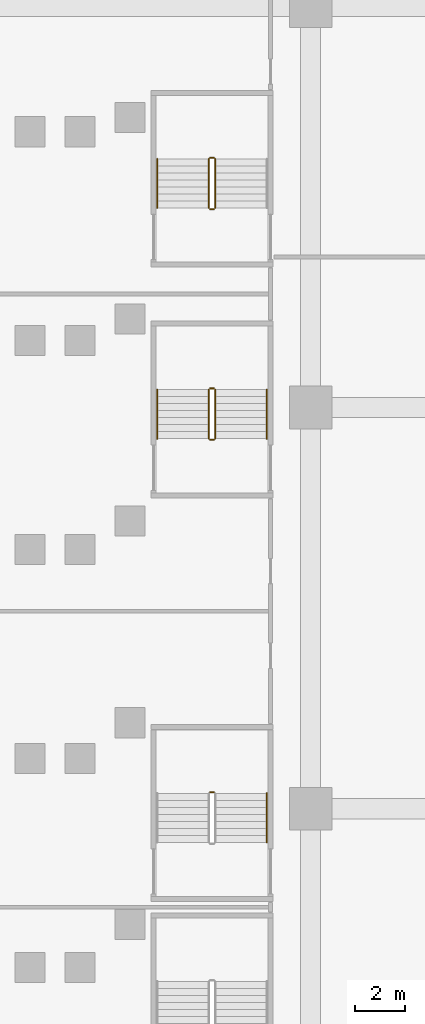
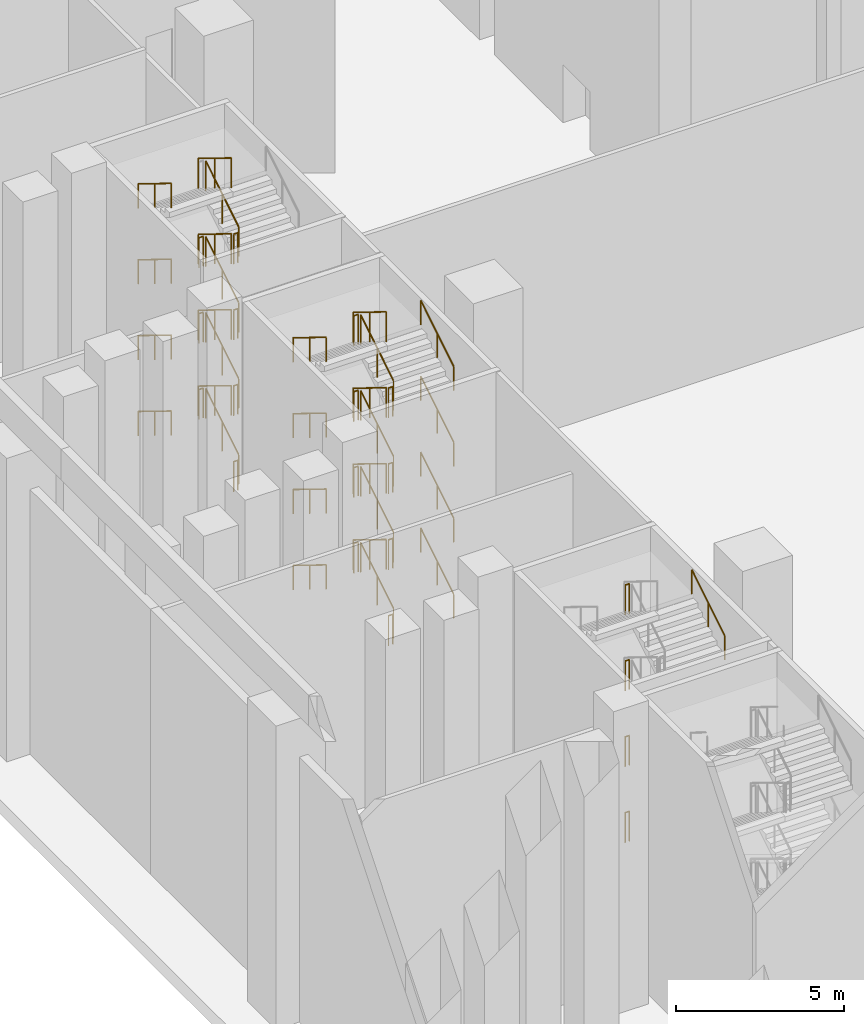
# One storey, part 23 of 31: 48 railings.
"""IFC4 building model written with IfcOpenShell, lengths in metres."""

from ifc_helpers import new_model, si_unit, direction, frame, origin, origin_2d, place, context, subcontext, project, spatial, circle, extrude, material, type_object, element, save


model = new_model("IFC4")

# Units and contexts
model_context = context("Model", 3, precision=1e-05, world=origin(), true_north=direction((0.0, 1.0)))
body_context = subcontext(model_context, "Body", "Model", "MODEL_VIEW")
ifc_project = project(units=[si_unit("LENGTHUNIT", "METRE"), si_unit("AREAUNIT", "SQUARE_METRE"), si_unit("VOLUMEUNIT", "CUBIC_METRE"), si_unit("PLANEANGLEUNIT", "RADIAN"), si_unit("MASSUNIT", "GRAM", prefix="KILO")], contexts=[model_context])

# Site, building, storey
site_placement = place(None, origin())
site = spatial("IfcSite", under=ifc_project, at=site_placement, CompositionType="ELEMENT")
building_placement = place(site_placement, origin())
building = spatial("IfcBuilding", under=site, at=building_placement, Name="Calabash Gate Tower", CompositionType="ELEMENT")
storey_placement = place(building_placement, frame((0.0, 0.0, 9.0)))
storey = spatial("IfcBuildingStorey", under=building, at=storey_placement, Name="L01", CompositionType="ELEMENT", Elevation=9.0)

# Railings
ifc_material_1 = material(Name="Black powder-coated steel balusters", Category="steel")
railing_type_1 = type_object("IfcRailingType", Name="Stair guard RL1100", PredefinedType="GUARDRAIL", material=ifc_material_1)
for number, where, name in (
    (1, (-35.860107421875, -23.3369140625, 1.375), "L01 PS2 stair guard 2"),
    (2, (-35.860107421875, -23.3369140625, 4.125), "L01 PS2 stair guard 6"),
    (3, (-35.860107421875, -23.3369140625, 6.875), "L01 PS2 stair guard 10"),
    (4, (-35.860107421875, -23.3369140625, 9.625), "L01 PS2 stair guard 14"),
):
    element("IfcRailing", number, at=place(storey_placement, frame(where)), inside=storey, type_object=railing_type_1, Name=name, PredefinedType="GUARDRAIL", context=body_context, shape_type="SweptSolid", body=[
        extrude(circle(Radius=0.02392578125, at=origin_2d()), frame((0.0, 0.0, 1.076171875), z_axis=(-1.0, 0.0, 0.0), x_axis=(0.0, -1.0, 0.0)), (0.0, 0.0, 1.0), 0.14990234375),
        extrude(circle(Radius=0.02099609375, at=origin_2d()), origin(), (0.0, 0.0, 1.0), 1.052001953125),
        extrude(circle(Radius=0.02099609375, at=origin_2d()), frame((-0.14990234375, 0.0, 0.0)), (0.0, 0.0, 1.0), 1.052001953125),
    ])
railing_1_placement = place(storey_placement, frame((-35.81005859375, -9.239990234375, 0.171875)))
element("IfcRailing", 5, at=railing_1_placement, inside=storey, type_object=railing_type_1, Name="L01 PS3 stair guard 1", PredefinedType="GUARDRAIL", context=body_context, shape_type="SweptSolid", body=[
    extrude(circle(Radius=0.02392578125, at=origin_2d()), frame((0.0, 0.0, 1.076171875), z_axis=(0.0, 0.851395084437, 0.52452493763), x_axis=(-1.0, 0.0, 0.0)), (0.0, 0.0, 1.0), 2.293701171875),
    extrude(circle(Radius=0.02099609375, at=origin_2d()), origin(), (0.0, 0.0, 1.0), 1.052001953125),
    extrude(circle(Radius=0.02099609375, at=origin_2d()), frame((0.0, 0.9765625, 0.6015625)), (0.0, 0.0, 1.0), 1.052001953125),
    extrude(circle(Radius=0.02099609375, at=origin_2d()), frame((0.0, 1.952880859375, 1.203125)), (0.0, 0.0, 1.0), 1.052001953125),
])
railing_2_placement = place(storey_placement, frame((-35.860107421875, -7.237060546875, 1.375)))
element("IfcRailing", 6, at=railing_2_placement, inside=storey, type_object=railing_type_1, Name="L01 PS3 stair guard 2", PredefinedType="GUARDRAIL", context=body_context, shape_type="SweptSolid", body=[
    extrude(circle(Radius=0.02392578125, at=origin_2d()), frame((0.0, 0.0, 1.076171875), z_axis=(-1.0, 0.0, 0.0), x_axis=(0.0, -1.0, 0.0)), (0.0, 0.0, 1.0), 0.14990234375),
    extrude(circle(Radius=0.02099609375, at=origin_2d()), origin(), (0.0, 0.0, 1.0), 1.052001953125),
    extrude(circle(Radius=0.02099609375, at=origin_2d()), frame((-0.14990234375, 0.0, 0.0)), (0.0, 0.0, 1.0), 1.052001953125),
])
railing_3_placement = place(storey_placement, frame((-36.06005859375, -7.287109375, 1.546875)))
element("IfcRailing", 7, at=railing_3_placement, inside=storey, type_object=railing_type_1, Name="L01 PS3 stair guard 3", PredefinedType="GUARDRAIL", context=body_context, shape_type="SweptSolid", body=[
    extrude(circle(Radius=0.02392578125, at=origin_2d()), frame((0.0, 0.0, 1.076171875), z_axis=(0.0, -0.851395084437, 0.52452493763), x_axis=(1.0, 0.0, 0.0)), (0.0, 0.0, 1.0), 2.293701171875),
    extrude(circle(Radius=0.02099609375, at=origin_2d()), origin(), (0.0, 0.0, 1.0), 1.052001953125),
    extrude(circle(Radius=0.02099609375, at=origin_2d()), frame((0.0, -0.9765625, 0.6015625)), (0.0, 0.0, 1.0), 1.052001953125),
    extrude(circle(Radius=0.02099609375, at=origin_2d()), frame((0.0, -1.952880859375, 1.203125)), (0.0, 0.0, 1.0), 1.052001953125),
])
railing_4_placement = place(storey_placement, frame((-35.860107421875, -9.2900390625, 2.75)))
element("IfcRailing", 8, at=railing_4_placement, inside=storey, type_object=railing_type_1, Name="L01 PS3 stair guard 4", PredefinedType="GUARDRAIL", context=body_context, shape_type="SweptSolid", body=[
    extrude(circle(Radius=0.02392578125, at=origin_2d()), frame((0.0, 0.0, 1.076171875), z_axis=(-1.0, 0.0, 0.0), x_axis=(0.0, -1.0, 0.0)), (0.0, 0.0, 1.0), 0.14990234375),
    extrude(circle(Radius=0.02099609375, at=origin_2d()), origin(), (0.0, 0.0, 1.0), 1.052001953125),
    extrude(circle(Radius=0.02099609375, at=origin_2d()), frame((-0.14990234375, 0.0, 0.0)), (0.0, 0.0, 1.0), 1.052001953125),
])
railing_5_placement = place(storey_placement, frame((-35.81005859375, -9.239990234375, 2.921875)))
element("IfcRailing", 9, at=railing_5_placement, inside=storey, type_object=railing_type_1, Name="L01 PS3 stair guard 5", PredefinedType="GUARDRAIL", context=body_context, shape_type="SweptSolid", body=[
    extrude(circle(Radius=0.02392578125, at=origin_2d()), frame((0.0, 0.0, 1.076171875), z_axis=(0.0, 0.851395084437, 0.52452493763), x_axis=(-1.0, 0.0, 0.0)), (0.0, 0.0, 1.0), 2.293701171875),
    extrude(circle(Radius=0.02099609375, at=origin_2d()), origin(), (0.0, 0.0, 1.0), 1.052001953125),
    extrude(circle(Radius=0.02099609375, at=origin_2d()), frame((0.0, 0.9765625, 0.6015625)), (0.0, 0.0, 1.0), 1.052001953125),
    extrude(circle(Radius=0.02099609375, at=origin_2d()), frame((0.0, 1.952880859375, 1.203125)), (0.0, 0.0, 1.0), 1.052001953125),
])
railing_6_placement = place(storey_placement, frame((-35.860107421875, -7.237060546875, 4.125)))
element("IfcRailing", 10, at=railing_6_placement, inside=storey, type_object=railing_type_1, Name="L01 PS3 stair guard 6", PredefinedType="GUARDRAIL", context=body_context, shape_type="SweptSolid", body=[
    extrude(circle(Radius=0.02392578125, at=origin_2d()), frame((0.0, 0.0, 1.076171875), z_axis=(-1.0, 0.0, 0.0), x_axis=(0.0, -1.0, 0.0)), (0.0, 0.0, 1.0), 0.14990234375),
    extrude(circle(Radius=0.02099609375, at=origin_2d()), origin(), (0.0, 0.0, 1.0), 1.052001953125),
    extrude(circle(Radius=0.02099609375, at=origin_2d()), frame((-0.14990234375, 0.0, 0.0)), (0.0, 0.0, 1.0), 1.052001953125),
])
railing_7_placement = place(storey_placement, frame((-36.06005859375, -7.287109375, 4.296875)))
element("IfcRailing", 11, at=railing_7_placement, inside=storey, type_object=railing_type_1, Name="L01 PS3 stair guard 7", PredefinedType="GUARDRAIL", context=body_context, shape_type="SweptSolid", body=[
    extrude(circle(Radius=0.02392578125, at=origin_2d()), frame((0.0, 0.0, 1.076171875), z_axis=(0.0, -0.851395084437, 0.52452493763), x_axis=(1.0, 0.0, 0.0)), (0.0, 0.0, 1.0), 2.293701171875),
    extrude(circle(Radius=0.02099609375, at=origin_2d()), origin(), (0.0, 0.0, 1.0), 1.052001953125),
    extrude(circle(Radius=0.02099609375, at=origin_2d()), frame((0.0, -0.9765625, 0.6015625)), (0.0, 0.0, 1.0), 1.052001953125),
    extrude(circle(Radius=0.02099609375, at=origin_2d()), frame((0.0, -1.952880859375, 1.203125)), (0.0, 0.0, 1.0), 1.052001953125),
])
railing_8_placement = place(storey_placement, frame((-35.860107421875, -9.2900390625, 5.5)))
element("IfcRailing", 12, at=railing_8_placement, inside=storey, type_object=railing_type_1, Name="L01 PS3 stair guard 8", PredefinedType="GUARDRAIL", context=body_context, shape_type="SweptSolid", body=[
    extrude(circle(Radius=0.02392578125, at=origin_2d()), frame((0.0, 0.0, 1.076171875), z_axis=(-1.0, 0.0, 0.0), x_axis=(0.0, -1.0, 0.0)), (0.0, 0.0, 1.0), 0.14990234375),
    extrude(circle(Radius=0.02099609375, at=origin_2d()), origin(), (0.0, 0.0, 1.0), 1.052001953125),
    extrude(circle(Radius=0.02099609375, at=origin_2d()), frame((-0.14990234375, 0.0, 0.0)), (0.0, 0.0, 1.0), 1.052001953125),
])
railing_9_placement = place(storey_placement, frame((-35.81005859375, -9.239990234375, 5.671875)))
element("IfcRailing", 13, at=railing_9_placement, inside=storey, type_object=railing_type_1, Name="L01 PS3 stair guard 9", PredefinedType="GUARDRAIL", context=body_context, shape_type="SweptSolid", body=[
    extrude(circle(Radius=0.02392578125, at=origin_2d()), frame((0.0, 0.0, 1.076171875), z_axis=(0.0, 0.851395084437, 0.52452493763), x_axis=(-1.0, 0.0, 0.0)), (0.0, 0.0, 1.0), 2.293701171875),
    extrude(circle(Radius=0.02099609375, at=origin_2d()), origin(), (0.0, 0.0, 1.0), 1.052001953125),
    extrude(circle(Radius=0.02099609375, at=origin_2d()), frame((0.0, 0.9765625, 0.6015625)), (0.0, 0.0, 1.0), 1.052001953125),
    extrude(circle(Radius=0.02099609375, at=origin_2d()), frame((0.0, 1.952880859375, 1.203125)), (0.0, 0.0, 1.0), 1.052001953125),
])
railing_10_placement = place(storey_placement, frame((-35.860107421875, -7.237060546875, 6.875)))
element("IfcRailing", 14, at=railing_10_placement, inside=storey, type_object=railing_type_1, Name="L01 PS3 stair guard 10", PredefinedType="GUARDRAIL", context=body_context, shape_type="SweptSolid", body=[
    extrude(circle(Radius=0.02392578125, at=origin_2d()), frame((0.0, 0.0, 1.076171875), z_axis=(-1.0, 0.0, 0.0), x_axis=(0.0, -1.0, 0.0)), (0.0, 0.0, 1.0), 0.14990234375),
    extrude(circle(Radius=0.02099609375, at=origin_2d()), origin(), (0.0, 0.0, 1.0), 1.052001953125),
    extrude(circle(Radius=0.02099609375, at=origin_2d()), frame((-0.14990234375, 0.0, 0.0)), (0.0, 0.0, 1.0), 1.052001953125),
])
railing_11_placement = place(storey_placement, frame((-36.06005859375, -7.287109375, 7.046875)))
element("IfcRailing", 15, at=railing_11_placement, inside=storey, type_object=railing_type_1, Name="L01 PS3 stair guard 11", PredefinedType="GUARDRAIL", context=body_context, shape_type="SweptSolid", body=[
    extrude(circle(Radius=0.02392578125, at=origin_2d()), frame((0.0, 0.0, 1.076171875), z_axis=(0.0, -0.851395084437, 0.52452493763), x_axis=(1.0, 0.0, 0.0)), (0.0, 0.0, 1.0), 2.293701171875),
    extrude(circle(Radius=0.02099609375, at=origin_2d()), origin(), (0.0, 0.0, 1.0), 1.052001953125),
    extrude(circle(Radius=0.02099609375, at=origin_2d()), frame((0.0, -0.9765625, 0.6015625)), (0.0, 0.0, 1.0), 1.052001953125),
    extrude(circle(Radius=0.02099609375, at=origin_2d()), frame((0.0, -1.952880859375, 1.203125)), (0.0, 0.0, 1.0), 1.052001953125),
])
railing_12_placement = place(storey_placement, frame((-35.860107421875, -9.2900390625, 8.25)))
element("IfcRailing", 16, at=railing_12_placement, inside=storey, type_object=railing_type_1, Name="L01 PS3 stair guard 12", PredefinedType="GUARDRAIL", context=body_context, shape_type="SweptSolid", body=[
    extrude(circle(Radius=0.02392578125, at=origin_2d()), frame((0.0, 0.0, 1.076171875), z_axis=(-1.0, 0.0, 0.0), x_axis=(0.0, -1.0, 0.0)), (0.0, 0.0, 1.0), 0.14990234375),
    extrude(circle(Radius=0.02099609375, at=origin_2d()), origin(), (0.0, 0.0, 1.0), 1.052001953125),
    extrude(circle(Radius=0.02099609375, at=origin_2d()), frame((-0.14990234375, 0.0, 0.0)), (0.0, 0.0, 1.0), 1.052001953125),
])
railing_13_placement = place(storey_placement, frame((-35.81005859375, -9.239990234375, 8.421875)))
element("IfcRailing", 17, at=railing_13_placement, inside=storey, type_object=railing_type_1, Name="L01 PS3 stair guard 13", PredefinedType="GUARDRAIL", context=body_context, shape_type="SweptSolid", body=[
    extrude(circle(Radius=0.02392578125, at=origin_2d()), frame((0.0, 0.0, 1.076171875), z_axis=(0.0, 0.851395084437, 0.52452493763), x_axis=(-1.0, 0.0, 0.0)), (0.0, 0.0, 1.0), 2.293701171875),
    extrude(circle(Radius=0.02099609375, at=origin_2d()), origin(), (0.0, 0.0, 1.0), 1.052001953125),
    extrude(circle(Radius=0.02099609375, at=origin_2d()), frame((0.0, 0.9765625, 0.6015625)), (0.0, 0.0, 1.0), 1.052001953125),
    extrude(circle(Radius=0.02099609375, at=origin_2d()), frame((0.0, 1.952880859375, 1.203125)), (0.0, 0.0, 1.0), 1.052001953125),
])
railing_14_placement = place(storey_placement, frame((-35.860107421875, -7.237060546875, 9.625)))
element("IfcRailing", 18, at=railing_14_placement, inside=storey, type_object=railing_type_1, Name="L01 PS3 stair guard 14", PredefinedType="GUARDRAIL", context=body_context, shape_type="SweptSolid", body=[
    extrude(circle(Radius=0.02392578125, at=origin_2d()), frame((0.0, 0.0, 1.076171875), z_axis=(-1.0, 0.0, 0.0), x_axis=(0.0, -1.0, 0.0)), (0.0, 0.0, 1.0), 0.14990234375),
    extrude(circle(Radius=0.02099609375, at=origin_2d()), origin(), (0.0, 0.0, 1.0), 1.052001953125),
    extrude(circle(Radius=0.02099609375, at=origin_2d()), frame((-0.14990234375, 0.0, 0.0)), (0.0, 0.0, 1.0), 1.052001953125),
])
railing_15_placement = place(storey_placement, frame((-36.06005859375, -7.287109375, 9.796875)))
element("IfcRailing", 19, at=railing_15_placement, inside=storey, type_object=railing_type_1, Name="L01 PS3 stair guard 15", PredefinedType="GUARDRAIL", context=body_context, shape_type="SweptSolid", body=[
    extrude(circle(Radius=0.02392578125, at=origin_2d()), frame((0.0, 0.0, 1.076171875), z_axis=(0.0, -0.851395084437, 0.52452493763), x_axis=(1.0, 0.0, 0.0)), (0.0, 0.0, 1.0), 2.293701171875),
    extrude(circle(Radius=0.02099609375, at=origin_2d()), origin(), (0.0, 0.0, 1.0), 1.052001953125),
    extrude(circle(Radius=0.02099609375, at=origin_2d()), frame((0.0, -0.9765625, 0.6015625)), (0.0, 0.0, 1.0), 1.052001953125),
    extrude(circle(Radius=0.02099609375, at=origin_2d()), frame((0.0, -1.952880859375, 1.203125)), (0.0, 0.0, 1.0), 1.052001953125),
])
railing_16_placement = place(storey_placement, frame((-35.860107421875, -9.2900390625, 0.0)))
element("IfcRailing", 20, at=railing_16_placement, inside=storey, type_object=railing_type_1, Name="L01 PS3 stair guard 16", PredefinedType="GUARDRAIL", context=body_context, shape_type="SweptSolid", body=[
    extrude(circle(Radius=0.02392578125, at=origin_2d()), frame((0.0, 0.0, 1.076171875), z_axis=(-1.0, 0.0, 0.0), x_axis=(0.0, -1.0, 0.0)), (0.0, 0.0, 1.0), 0.14990234375),
    extrude(circle(Radius=0.02099609375, at=origin_2d()), origin(), (0.0, 0.0, 1.0), 1.052001953125),
    extrude(circle(Radius=0.02099609375, at=origin_2d()), frame((-0.14990234375, 0.0, 0.0)), (0.0, 0.0, 1.0), 1.052001953125),
])
railing_17_placement = place(storey_placement, frame((-35.81005859375, -0.0400390625, 0.171875)))
element("IfcRailing", 21, at=railing_17_placement, inside=storey, type_object=railing_type_1, Name="L01 PS4 stair guard 1", PredefinedType="GUARDRAIL", context=body_context, shape_type="SweptSolid", body=[
    extrude(circle(Radius=0.02392578125, at=origin_2d()), frame((0.0, 0.0, 1.076171875), z_axis=(0.0, 0.851424364277, 0.524477408394), x_axis=(-1.0, 0.0, 0.0)), (0.0, 0.0, 1.0), 2.2939453125),
    extrude(circle(Radius=0.02099609375, at=origin_2d()), origin(), (0.0, 0.0, 1.0), 1.052001953125),
    extrude(circle(Radius=0.02099609375, at=origin_2d()), frame((0.0, 0.9765625, 0.6015625)), (0.0, 0.0, 1.0), 1.052001953125),
    extrude(circle(Radius=0.02099609375, at=origin_2d()), frame((0.0, 1.953125, 1.203125)), (0.0, 0.0, 1.0), 1.052001953125),
])
railing_18_placement = place(storey_placement, frame((-35.860107421875, 1.962890625, 1.375)))
element("IfcRailing", 22, at=railing_18_placement, inside=storey, type_object=railing_type_1, Name="L01 PS4 stair guard 2", PredefinedType="GUARDRAIL", context=body_context, shape_type="SweptSolid", body=[
    extrude(circle(Radius=0.02392578125, at=origin_2d()), frame((0.0, 0.0, 1.076171875), z_axis=(-1.0, 0.0, 0.0), x_axis=(0.0, -1.0, 0.0)), (0.0, 0.0, 1.0), 0.14990234375),
    extrude(circle(Radius=0.02099609375, at=origin_2d()), origin(), (0.0, 0.0, 1.0), 1.052001953125),
    extrude(circle(Radius=0.02099609375, at=origin_2d()), frame((-0.14990234375, 0.0, 0.0)), (0.0, 0.0, 1.0), 1.052001953125),
])
railing_19_placement = place(storey_placement, frame((-36.06005859375, 1.9130859375, 1.546875)))
element("IfcRailing", 23, at=railing_19_placement, inside=storey, type_object=railing_type_1, Name="L01 PS4 stair guard 3", PredefinedType="GUARDRAIL", context=body_context, shape_type="SweptSolid", body=[
    extrude(circle(Radius=0.02392578125, at=origin_2d()), frame((0.0, 0.0, 1.076171875), z_axis=(0.0, -0.851424364277, 0.524477408394), x_axis=(1.0, 0.0, 0.0)), (0.0, 0.0, 1.0), 2.2939453125),
    extrude(circle(Radius=0.02099609375, at=origin_2d()), origin(), (0.0, 0.0, 1.0), 1.052001953125),
    extrude(circle(Radius=0.02099609375, at=origin_2d()), frame((0.0, -0.9765625, 0.6015625)), (0.0, 0.0, 1.0), 1.052001953125),
    extrude(circle(Radius=0.02099609375, at=origin_2d()), frame((0.0, -1.953125, 1.203125)), (0.0, 0.0, 1.0), 1.052001953125),
])
railing_20_placement = place(storey_placement, frame((-35.860107421875, -0.090087890625, 2.75)))
element("IfcRailing", 24, at=railing_20_placement, inside=storey, type_object=railing_type_1, Name="L01 PS4 stair guard 4", PredefinedType="GUARDRAIL", context=body_context, shape_type="SweptSolid", body=[
    extrude(circle(Radius=0.02392578125, at=origin_2d()), frame((0.0, 0.0, 1.076171875), z_axis=(-1.0, 0.0, 0.0), x_axis=(0.0, -1.0, 0.0)), (0.0, 0.0, 1.0), 0.14990234375),
    extrude(circle(Radius=0.02099609375, at=origin_2d()), origin(), (0.0, 0.0, 1.0), 1.052001953125),
    extrude(circle(Radius=0.02099609375, at=origin_2d()), frame((-0.14990234375, 0.0, 0.0)), (0.0, 0.0, 1.0), 1.052001953125),
])
railing_21_placement = place(storey_placement, frame((-35.81005859375, -0.0400390625, 2.921875)))
element("IfcRailing", 25, at=railing_21_placement, inside=storey, type_object=railing_type_1, Name="L01 PS4 stair guard 5", PredefinedType="GUARDRAIL", context=body_context, shape_type="SweptSolid", body=[
    extrude(circle(Radius=0.02392578125, at=origin_2d()), frame((0.0, 0.0, 1.076171875), z_axis=(0.0, 0.851424364277, 0.524477408394), x_axis=(-1.0, 0.0, 0.0)), (0.0, 0.0, 1.0), 2.2939453125),
    extrude(circle(Radius=0.02099609375, at=origin_2d()), origin(), (0.0, 0.0, 1.0), 1.052001953125),
    extrude(circle(Radius=0.02099609375, at=origin_2d()), frame((0.0, 0.9765625, 0.6015625)), (0.0, 0.0, 1.0), 1.052001953125),
    extrude(circle(Radius=0.02099609375, at=origin_2d()), frame((0.0, 1.953125, 1.203125)), (0.0, 0.0, 1.0), 1.052001953125),
])
railing_22_placement = place(storey_placement, frame((-35.860107421875, 1.962890625, 4.125)))
element("IfcRailing", 26, at=railing_22_placement, inside=storey, type_object=railing_type_1, Name="L01 PS4 stair guard 6", PredefinedType="GUARDRAIL", context=body_context, shape_type="SweptSolid", body=[
    extrude(circle(Radius=0.02392578125, at=origin_2d()), frame((0.0, 0.0, 1.076171875), z_axis=(-1.0, 0.0, 0.0), x_axis=(0.0, -1.0, 0.0)), (0.0, 0.0, 1.0), 0.14990234375),
    extrude(circle(Radius=0.02099609375, at=origin_2d()), origin(), (0.0, 0.0, 1.0), 1.052001953125),
    extrude(circle(Radius=0.02099609375, at=origin_2d()), frame((-0.14990234375, 0.0, 0.0)), (0.0, 0.0, 1.0), 1.052001953125),
])
railing_23_placement = place(storey_placement, frame((-36.06005859375, 1.9130859375, 4.296875)))
element("IfcRailing", 27, at=railing_23_placement, inside=storey, type_object=railing_type_1, Name="L01 PS4 stair guard 7", PredefinedType="GUARDRAIL", context=body_context, shape_type="SweptSolid", body=[
    extrude(circle(Radius=0.02392578125, at=origin_2d()), frame((0.0, 0.0, 1.076171875), z_axis=(0.0, -0.851424364277, 0.524477408394), x_axis=(1.0, 0.0, 0.0)), (0.0, 0.0, 1.0), 2.2939453125),
    extrude(circle(Radius=0.02099609375, at=origin_2d()), origin(), (0.0, 0.0, 1.0), 1.052001953125),
    extrude(circle(Radius=0.02099609375, at=origin_2d()), frame((0.0, -0.9765625, 0.6015625)), (0.0, 0.0, 1.0), 1.052001953125),
    extrude(circle(Radius=0.02099609375, at=origin_2d()), frame((0.0, -1.953125, 1.203125)), (0.0, 0.0, 1.0), 1.052001953125),
])
railing_24_placement = place(storey_placement, frame((-35.860107421875, -0.090087890625, 5.5)))
element("IfcRailing", 28, at=railing_24_placement, inside=storey, type_object=railing_type_1, Name="L01 PS4 stair guard 8", PredefinedType="GUARDRAIL", context=body_context, shape_type="SweptSolid", body=[
    extrude(circle(Radius=0.02392578125, at=origin_2d()), frame((0.0, 0.0, 1.076171875), z_axis=(-1.0, 0.0, 0.0), x_axis=(0.0, -1.0, 0.0)), (0.0, 0.0, 1.0), 0.14990234375),
    extrude(circle(Radius=0.02099609375, at=origin_2d()), origin(), (0.0, 0.0, 1.0), 1.052001953125),
    extrude(circle(Radius=0.02099609375, at=origin_2d()), frame((-0.14990234375, 0.0, 0.0)), (0.0, 0.0, 1.0), 1.052001953125),
])
railing_25_placement = place(storey_placement, frame((-35.81005859375, -0.0400390625, 5.671875)))
element("IfcRailing", 29, at=railing_25_placement, inside=storey, type_object=railing_type_1, Name="L01 PS4 stair guard 9", PredefinedType="GUARDRAIL", context=body_context, shape_type="SweptSolid", body=[
    extrude(circle(Radius=0.02392578125, at=origin_2d()), frame((0.0, 0.0, 1.076171875), z_axis=(0.0, 0.851424364277, 0.524477408394), x_axis=(-1.0, 0.0, 0.0)), (0.0, 0.0, 1.0), 2.2939453125),
    extrude(circle(Radius=0.02099609375, at=origin_2d()), origin(), (0.0, 0.0, 1.0), 1.052001953125),
    extrude(circle(Radius=0.02099609375, at=origin_2d()), frame((0.0, 0.9765625, 0.6015625)), (0.0, 0.0, 1.0), 1.052001953125),
    extrude(circle(Radius=0.02099609375, at=origin_2d()), frame((0.0, 1.953125, 1.203125)), (0.0, 0.0, 1.0), 1.052001953125),
])
railing_26_placement = place(storey_placement, frame((-35.860107421875, 1.962890625, 6.875)))
element("IfcRailing", 30, at=railing_26_placement, inside=storey, type_object=railing_type_1, Name="L01 PS4 stair guard 10", PredefinedType="GUARDRAIL", context=body_context, shape_type="SweptSolid", body=[
    extrude(circle(Radius=0.02392578125, at=origin_2d()), frame((0.0, 0.0, 1.076171875), z_axis=(-1.0, 0.0, 0.0), x_axis=(0.0, -1.0, 0.0)), (0.0, 0.0, 1.0), 0.14990234375),
    extrude(circle(Radius=0.02099609375, at=origin_2d()), origin(), (0.0, 0.0, 1.0), 1.052001953125),
    extrude(circle(Radius=0.02099609375, at=origin_2d()), frame((-0.14990234375, 0.0, 0.0)), (0.0, 0.0, 1.0), 1.052001953125),
])
railing_27_placement = place(storey_placement, frame((-36.06005859375, 1.9130859375, 7.046875)))
element("IfcRailing", 31, at=railing_27_placement, inside=storey, type_object=railing_type_1, Name="L01 PS4 stair guard 11", PredefinedType="GUARDRAIL", context=body_context, shape_type="SweptSolid", body=[
    extrude(circle(Radius=0.02392578125, at=origin_2d()), frame((0.0, 0.0, 1.076171875), z_axis=(0.0, -0.851424364277, 0.524477408394), x_axis=(1.0, 0.0, 0.0)), (0.0, 0.0, 1.0), 2.2939453125),
    extrude(circle(Radius=0.02099609375, at=origin_2d()), origin(), (0.0, 0.0, 1.0), 1.052001953125),
    extrude(circle(Radius=0.02099609375, at=origin_2d()), frame((0.0, -0.9765625, 0.6015625)), (0.0, 0.0, 1.0), 1.052001953125),
    extrude(circle(Radius=0.02099609375, at=origin_2d()), frame((0.0, -1.953125, 1.203125)), (0.0, 0.0, 1.0), 1.052001953125),
])
railing_28_placement = place(storey_placement, frame((-35.860107421875, -0.090087890625, 8.25)))
element("IfcRailing", 32, at=railing_28_placement, inside=storey, type_object=railing_type_1, Name="L01 PS4 stair guard 12", PredefinedType="GUARDRAIL", context=body_context, shape_type="SweptSolid", body=[
    extrude(circle(Radius=0.02392578125, at=origin_2d()), frame((0.0, 0.0, 1.076171875), z_axis=(-1.0, 0.0, 0.0), x_axis=(0.0, -1.0, 0.0)), (0.0, 0.0, 1.0), 0.14990234375),
    extrude(circle(Radius=0.02099609375, at=origin_2d()), origin(), (0.0, 0.0, 1.0), 1.052001953125),
    extrude(circle(Radius=0.02099609375, at=origin_2d()), frame((-0.14990234375, 0.0, 0.0)), (0.0, 0.0, 1.0), 1.052001953125),
])
railing_29_placement = place(storey_placement, frame((-35.81005859375, -0.0400390625, 8.421875)))
element("IfcRailing", 33, at=railing_29_placement, inside=storey, type_object=railing_type_1, Name="L01 PS4 stair guard 13", PredefinedType="GUARDRAIL", context=body_context, shape_type="SweptSolid", body=[
    extrude(circle(Radius=0.02392578125, at=origin_2d()), frame((0.0, 0.0, 1.076171875), z_axis=(0.0, 0.851424364277, 0.524477408394), x_axis=(-1.0, 0.0, 0.0)), (0.0, 0.0, 1.0), 2.2939453125),
    extrude(circle(Radius=0.02099609375, at=origin_2d()), origin(), (0.0, 0.0, 1.0), 1.052001953125),
    extrude(circle(Radius=0.02099609375, at=origin_2d()), frame((0.0, 0.9765625, 0.6015625)), (0.0, 0.0, 1.0), 1.052001953125),
    extrude(circle(Radius=0.02099609375, at=origin_2d()), frame((0.0, 1.953125, 1.203125)), (0.0, 0.0, 1.0), 1.052001953125),
])
railing_30_placement = place(storey_placement, frame((-36.06005859375, 1.9130859375, 9.796875)))
element("IfcRailing", 34, at=railing_30_placement, inside=storey, type_object=railing_type_1, Name="L01 PS4 stair guard 15", PredefinedType="GUARDRAIL", context=body_context, shape_type="SweptSolid", body=[
    extrude(circle(Radius=0.02392578125, at=origin_2d()), frame((0.0, 0.0, 1.076171875), z_axis=(0.0, -0.851424364277, 0.524477408394), x_axis=(1.0, 0.0, 0.0)), (0.0, 0.0, 1.0), 2.2939453125),
    extrude(circle(Radius=0.02099609375, at=origin_2d()), origin(), (0.0, 0.0, 1.0), 1.052001953125),
    extrude(circle(Radius=0.02099609375, at=origin_2d()), frame((0.0, -0.9765625, 0.6015625)), (0.0, 0.0, 1.0), 1.052001953125),
    extrude(circle(Radius=0.02099609375, at=origin_2d()), frame((0.0, -1.953125, 1.203125)), (0.0, 0.0, 1.0), 1.052001953125),
])
railing_31_placement = place(storey_placement, frame((-35.860107421875, -0.090087890625, 0.0)))
element("IfcRailing", 35, at=railing_31_placement, inside=storey, type_object=railing_type_1, Name="L01 PS4 stair guard 16", PredefinedType="GUARDRAIL", context=body_context, shape_type="SweptSolid", body=[
    extrude(circle(Radius=0.02392578125, at=origin_2d()), frame((0.0, 0.0, 1.076171875), z_axis=(-1.0, 0.0, 0.0), x_axis=(0.0, -1.0, 0.0)), (0.0, 0.0, 1.0), 0.14990234375),
    extrude(circle(Radius=0.02099609375, at=origin_2d()), origin(), (0.0, 0.0, 1.0), 1.052001953125),
    extrude(circle(Radius=0.02099609375, at=origin_2d()), frame((-0.14990234375, 0.0, 0.0)), (0.0, 0.0, 1.0), 1.052001953125),
])
ifc_material_2 = material(Name="Black powder-coated steel tube 48 mm", Category="steel")
railing_type_2 = type_object("IfcRailingType", Name="Stair handrail RL900", PredefinedType="HANDRAIL", material=ifc_material_2)
railing_32_placement = place(storey_placement, frame((-33.75, -25.340087890625, 8.421875)))
element("IfcRailing", 36, at=railing_32_placement, inside=storey, type_object=railing_type_2, Name="L01 PS2 stair handrail 7", PredefinedType="HANDRAIL", context=body_context, shape_type="SweptSolid", body=[
    extrude(circle(Radius=0.02392578125, at=origin_2d()), frame((0.0, 0.0, 0.8759765625), z_axis=(0.0, 0.851424364277, 0.524477408394), x_axis=(-1.0, 0.0, 0.0)), (0.0, 0.0, 1.0), 2.2939453125),
    extrude(circle(Radius=0.02099609375, at=origin_2d()), origin(), (0.0, 0.0, 1.0), 0.851806640625),
    extrude(circle(Radius=0.02099609375, at=origin_2d()), frame((0.0, 0.9765625, 0.6015625)), (0.0, 0.0, 1.0), 0.851806640625),
    extrude(circle(Radius=0.02099609375, at=origin_2d()), frame((0.0, 1.953125, 1.203125)), (0.0, 0.0, 1.0), 0.851806640625),
])
railing_33_placement = place(storey_placement, frame((-33.75, -9.239990234375, 0.171875)))
element("IfcRailing", 37, at=railing_33_placement, inside=storey, type_object=railing_type_2, Name="L01 PS3 stair handrail 1", PredefinedType="HANDRAIL", context=body_context, shape_type="SweptSolid", body=[
    extrude(circle(Radius=0.02392578125, at=origin_2d()), frame((0.0, 0.0, 0.8759765625), z_axis=(0.0, 0.851395084437, 0.52452493763), x_axis=(-1.0, 0.0, 0.0)), (0.0, 0.0, 1.0), 2.293701171875),
    extrude(circle(Radius=0.02099609375, at=origin_2d()), origin(), (0.0, 0.0, 1.0), 0.851806640625),
    extrude(circle(Radius=0.02099609375, at=origin_2d()), frame((0.0, 0.9765625, 0.6015625)), (0.0, 0.0, 1.0), 0.851806640625),
    extrude(circle(Radius=0.02099609375, at=origin_2d()), frame((0.0, 1.952880859375, 1.203125)), (0.0, 0.0, 1.0), 0.851806640625),
])
railing_34_placement = place(storey_placement, frame((-38.1201171875, -7.287109375, 1.546875)))
element("IfcRailing", 38, at=railing_34_placement, inside=storey, type_object=railing_type_2, Name="L01 PS3 stair handrail 2", PredefinedType="HANDRAIL", context=body_context, shape_type="SweptSolid", body=[
    extrude(circle(Radius=0.02392578125, at=origin_2d()), frame((0.0, 0.0, 0.8759765625), z_axis=(0.0, -0.851395084437, 0.52452493763), x_axis=(1.0, 0.0, 0.0)), (0.0, 0.0, 1.0), 2.293701171875),
    extrude(circle(Radius=0.02099609375, at=origin_2d()), origin(), (0.0, 0.0, 1.0), 0.851806640625),
    extrude(circle(Radius=0.02099609375, at=origin_2d()), frame((0.0, -0.9765625, 0.6015625)), (0.0, 0.0, 1.0), 0.851806640625),
    extrude(circle(Radius=0.02099609375, at=origin_2d()), frame((0.0, -1.952880859375, 1.203125)), (0.0, 0.0, 1.0), 0.851806640625),
])
railing_35_placement = place(storey_placement, frame((-33.75, -9.239990234375, 2.921875)))
element("IfcRailing", 39, at=railing_35_placement, inside=storey, type_object=railing_type_2, Name="L01 PS3 stair handrail 3", PredefinedType="HANDRAIL", context=body_context, shape_type="SweptSolid", body=[
    extrude(circle(Radius=0.02392578125, at=origin_2d()), frame((0.0, 0.0, 0.8759765625), z_axis=(0.0, 0.851395084437, 0.52452493763), x_axis=(-1.0, 0.0, 0.0)), (0.0, 0.0, 1.0), 2.293701171875),
    extrude(circle(Radius=0.02099609375, at=origin_2d()), origin(), (0.0, 0.0, 1.0), 0.851806640625),
    extrude(circle(Radius=0.02099609375, at=origin_2d()), frame((0.0, 0.9765625, 0.6015625)), (0.0, 0.0, 1.0), 0.851806640625),
    extrude(circle(Radius=0.02099609375, at=origin_2d()), frame((0.0, 1.952880859375, 1.203125)), (0.0, 0.0, 1.0), 0.851806640625),
])
railing_36_placement = place(storey_placement, frame((-38.1201171875, -7.287109375, 4.296875)))
element("IfcRailing", 40, at=railing_36_placement, inside=storey, type_object=railing_type_2, Name="L01 PS3 stair handrail 4", PredefinedType="HANDRAIL", context=body_context, shape_type="SweptSolid", body=[
    extrude(circle(Radius=0.02392578125, at=origin_2d()), frame((0.0, 0.0, 0.8759765625), z_axis=(0.0, -0.851395084437, 0.52452493763), x_axis=(1.0, 0.0, 0.0)), (0.0, 0.0, 1.0), 2.293701171875),
    extrude(circle(Radius=0.02099609375, at=origin_2d()), origin(), (0.0, 0.0, 1.0), 0.851806640625),
    extrude(circle(Radius=0.02099609375, at=origin_2d()), frame((0.0, -0.9765625, 0.6015625)), (0.0, 0.0, 1.0), 0.851806640625),
    extrude(circle(Radius=0.02099609375, at=origin_2d()), frame((0.0, -1.952880859375, 1.203125)), (0.0, 0.0, 1.0), 0.851806640625),
])
railing_37_placement = place(storey_placement, frame((-33.75, -9.239990234375, 5.671875)))
element("IfcRailing", 41, at=railing_37_placement, inside=storey, type_object=railing_type_2, Name="L01 PS3 stair handrail 5", PredefinedType="HANDRAIL", context=body_context, shape_type="SweptSolid", body=[
    extrude(circle(Radius=0.02392578125, at=origin_2d()), frame((0.0, 0.0, 0.8759765625), z_axis=(0.0, 0.851395084437, 0.52452493763), x_axis=(-1.0, 0.0, 0.0)), (0.0, 0.0, 1.0), 2.293701171875),
    extrude(circle(Radius=0.02099609375, at=origin_2d()), origin(), (0.0, 0.0, 1.0), 0.851806640625),
    extrude(circle(Radius=0.02099609375, at=origin_2d()), frame((0.0, 0.9765625, 0.6015625)), (0.0, 0.0, 1.0), 0.851806640625),
    extrude(circle(Radius=0.02099609375, at=origin_2d()), frame((0.0, 1.952880859375, 1.203125)), (0.0, 0.0, 1.0), 0.851806640625),
])
railing_38_placement = place(storey_placement, frame((-38.1201171875, -7.287109375, 7.046875)))
element("IfcRailing", 42, at=railing_38_placement, inside=storey, type_object=railing_type_2, Name="L01 PS3 stair handrail 6", PredefinedType="HANDRAIL", context=body_context, shape_type="SweptSolid", body=[
    extrude(circle(Radius=0.02392578125, at=origin_2d()), frame((0.0, 0.0, 0.8759765625), z_axis=(0.0, -0.851395084437, 0.52452493763), x_axis=(1.0, 0.0, 0.0)), (0.0, 0.0, 1.0), 2.293701171875),
    extrude(circle(Radius=0.02099609375, at=origin_2d()), origin(), (0.0, 0.0, 1.0), 0.851806640625),
    extrude(circle(Radius=0.02099609375, at=origin_2d()), frame((0.0, -0.9765625, 0.6015625)), (0.0, 0.0, 1.0), 0.851806640625),
    extrude(circle(Radius=0.02099609375, at=origin_2d()), frame((0.0, -1.952880859375, 1.203125)), (0.0, 0.0, 1.0), 0.851806640625),
])
railing_39_placement = place(storey_placement, frame((-33.75, -9.239990234375, 8.421875)))
element("IfcRailing", 43, at=railing_39_placement, inside=storey, type_object=railing_type_2, Name="L01 PS3 stair handrail 7", PredefinedType="HANDRAIL", context=body_context, shape_type="SweptSolid", body=[
    extrude(circle(Radius=0.02392578125, at=origin_2d()), frame((0.0, 0.0, 0.8759765625), z_axis=(0.0, 0.851395084437, 0.52452493763), x_axis=(-1.0, 0.0, 0.0)), (0.0, 0.0, 1.0), 2.293701171875),
    extrude(circle(Radius=0.02099609375, at=origin_2d()), origin(), (0.0, 0.0, 1.0), 0.851806640625),
    extrude(circle(Radius=0.02099609375, at=origin_2d()), frame((0.0, 0.9765625, 0.6015625)), (0.0, 0.0, 1.0), 0.851806640625),
    extrude(circle(Radius=0.02099609375, at=origin_2d()), frame((0.0, 1.952880859375, 1.203125)), (0.0, 0.0, 1.0), 0.851806640625),
])
railing_40_placement = place(storey_placement, frame((-38.1201171875, -7.287109375, 9.796875)))
element("IfcRailing", 44, at=railing_40_placement, inside=storey, type_object=railing_type_2, Name="L01 PS3 stair handrail 8", PredefinedType="HANDRAIL", context=body_context, shape_type="SweptSolid", body=[
    extrude(circle(Radius=0.02392578125, at=origin_2d()), frame((0.0, 0.0, 0.8759765625), z_axis=(0.0, -0.851395084437, 0.52452493763), x_axis=(1.0, 0.0, 0.0)), (0.0, 0.0, 1.0), 2.293701171875),
    extrude(circle(Radius=0.02099609375, at=origin_2d()), origin(), (0.0, 0.0, 1.0), 0.851806640625),
    extrude(circle(Radius=0.02099609375, at=origin_2d()), frame((0.0, -0.9765625, 0.6015625)), (0.0, 0.0, 1.0), 0.851806640625),
    extrude(circle(Radius=0.02099609375, at=origin_2d()), frame((0.0, -1.952880859375, 1.203125)), (0.0, 0.0, 1.0), 0.851806640625),
])
for number, where, name in (
    (45, (-38.1201171875, 1.9130859375, 1.546875), "L01 PS4 stair handrail 2"),
    (46, (-38.1201171875, 1.9130859375, 4.296875), "L01 PS4 stair handrail 4"),
    (47, (-38.1201171875, 1.9130859375, 7.046875), "L01 PS4 stair handrail 6"),
    (48, (-38.1201171875, 1.9130859375, 9.796875), "L01 PS4 stair handrail 8"),
):
    element("IfcRailing", number, at=place(storey_placement, frame(where)), inside=storey, type_object=railing_type_2, Name=name, PredefinedType="HANDRAIL", context=body_context, shape_type="SweptSolid", body=[
        extrude(circle(Radius=0.02392578125, at=origin_2d()), frame((0.0, 0.0, 0.8759765625), z_axis=(0.0, -0.851424364277, 0.524477408394), x_axis=(1.0, 0.0, 0.0)), (0.0, 0.0, 1.0), 2.2939453125),
        extrude(circle(Radius=0.02099609375, at=origin_2d()), origin(), (0.0, 0.0, 1.0), 0.851806640625),
        extrude(circle(Radius=0.02099609375, at=origin_2d()), frame((0.0, -0.9765625, 0.6015625)), (0.0, 0.0, 1.0), 0.851806640625),
        extrude(circle(Radius=0.02099609375, at=origin_2d()), frame((0.0, -1.953125, 1.203125)), (0.0, 0.0, 1.0), 0.851806640625),
    ])

save(model, "model.ifc")
